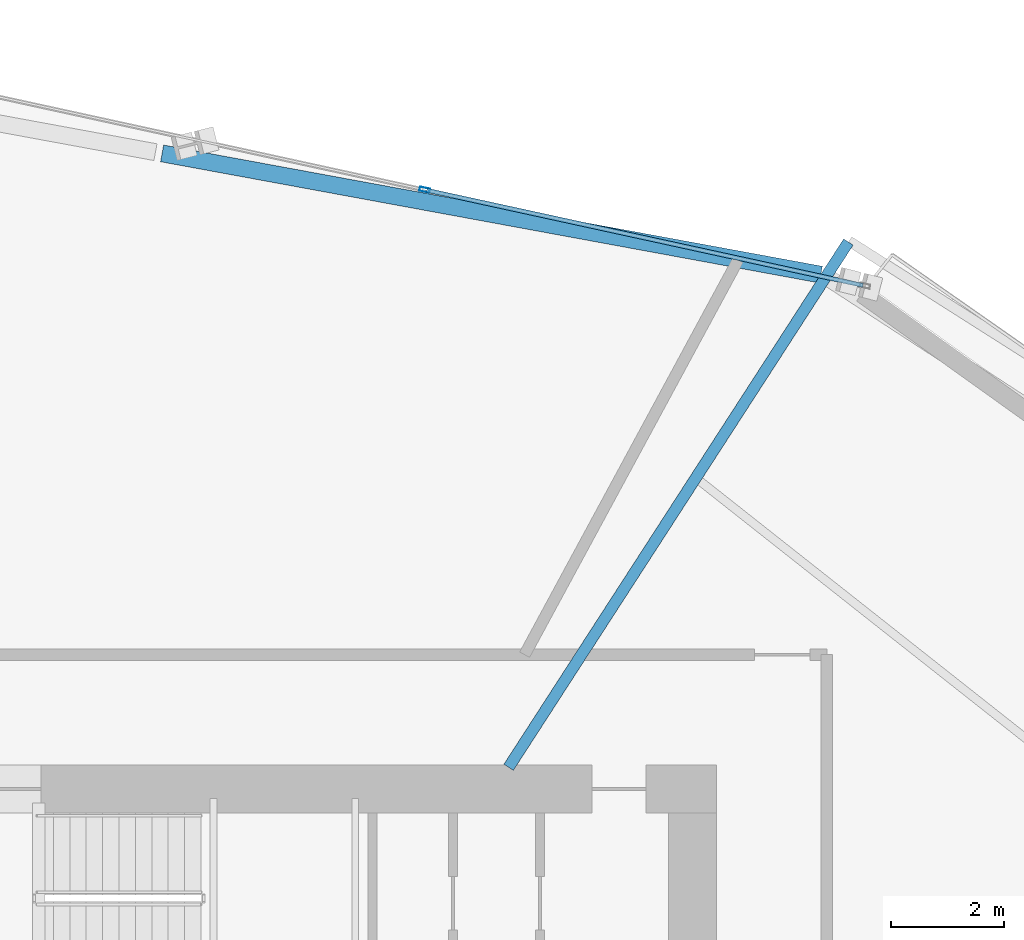
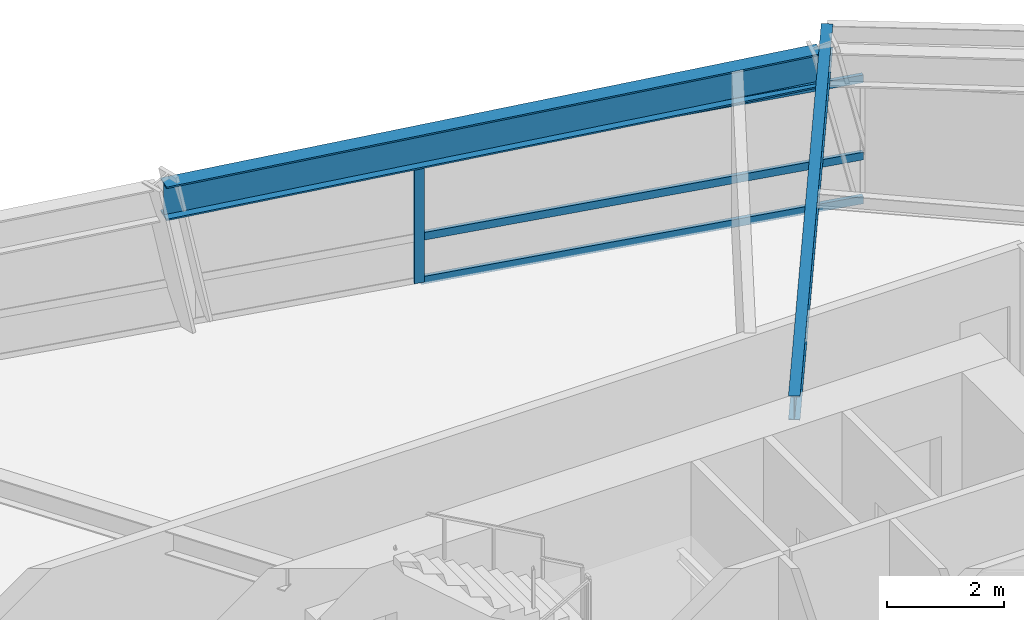
# One storey, part 9 of 21: 4 members, 2 beams, 1 element without a shape of its own.
"""IFC4 building model written with IfcOpenShell, lengths in metres."""

from ifc_helpers import new_model, si_unit, direction, frame, origin, origin_2d, place, context, subcontext, project, spatial, hollow_rectangle, i_section, extrude, source, transform, mapped, material, material_profile, profile_set, type_object, element, aggregate, save


model = new_model("IFC4")

# Units and contexts
model_context = context("Model", 3, precision=1e-05, world=origin(), true_north=direction((0.0, 1.0)))
body_context = subcontext(model_context, "Body", "Model", "MODEL_VIEW")
ifc_project = project(units=[si_unit("LENGTHUNIT", "METRE"), si_unit("AREAUNIT", "SQUARE_METRE"), si_unit("VOLUMEUNIT", "CUBIC_METRE"), si_unit("PLANEANGLEUNIT", "RADIAN"), si_unit("MASSUNIT", "GRAM", prefix="KILO")], contexts=[model_context])

# Site, building, storey
site_placement = place(None, origin())
site = spatial("IfcSite", under=ifc_project, at=site_placement, CompositionType="ELEMENT")
building_placement = place(site_placement, origin())
building = spatial("IfcBuilding", under=site, at=building_placement, Name="Olszyna Solenne Hotel", CompositionType="ELEMENT")
storey_placement = place(building_placement, frame((0.0, 0.0, 39.949951171875)))
storey = spatial("IfcBuildingStorey", under=building, at=storey_placement, Name="L09", CompositionType="ELEMENT", Elevation=39.949951171875)

# Beams
ifc_material_1 = material(Name="Steel S355J2", Category="steel")
ifc_material_profile_1 = material_profile(ifc_material_1, i_section(OverallWidth=0.300048828125, OverallDepth=0.699951171875, WebThickness=0.01708984375, FlangeThickness=0.031982421875, at=origin_2d()), Name="HEB 700", Category="load-bearing")
ifc_profile_set_1 = profile_set([ifc_material_profile_1], Name="Steel S355J2")
beam_type_1 = type_object("IfcBeamType", Name="BM-S1", PredefinedType="BEAM", material=ifc_profile_set_1)
shared_shape_1 = source(origin(), body_context, "Body", "SweptSolid", [
    extrude(i_section(OverallWidth=0.300048828125, OverallDepth=0.699951171875, WebThickness=0.01708984375, FlangeThickness=0.031982421875, at=origin_2d()), origin(), (0.0, 0.0, 1.0), 11.846435546875),
])
beam_1_placement = place(storey_placement, frame((48.59326171875, 43.22216796875, 2.949951171875), z_axis=(-0.983493167496, 0.180945266557, 0.0), x_axis=(-0.180945266557, -0.983493167496, 0.0)))
element("IfcBeam", 1, at=beam_1_placement, inside=storey, type_object=beam_type_1, Name="Perimeter spandrel beam BM-S1 B-L09-0291", PredefinedType="BEAM", context=body_context, shape_type="MappedRepresentation", body=[
    mapped(shared_shape_1, transform((0.0, 0.0, 0.0), x_axis=(1.0, 0.0, 0.0), y_axis=(0.0, 1.0, 0.0), z_axis=(0.0, 0.0, 1.0), scale=1.0)),
])
ifc_material_profile_2 = material_profile(ifc_material_1, i_section(OverallWidth=0.199951171875, OverallDepth=0.5, WebThickness=0.01025390625, FlangeThickness=0.01611328125, at=origin_2d()), Name="IPE 500", Category="load-bearing")
ifc_profile_set_2 = profile_set([ifc_material_profile_2], Name="Steel S355J2")
beam_type_2 = type_object("IfcBeamType", Name="BM-F3", PredefinedType="BEAM", material=ifc_profile_set_2)
shared_shape_2 = source(origin(), body_context, "Body", "SweptSolid", [
    extrude(i_section(OverallWidth=0.199951171875, OverallDepth=0.5, WebThickness=0.01025390625, FlangeThickness=0.01611328125, at=origin_2d()), origin(), (0.0, 0.0, 1.0), 11.064697265625),
])
beam_2_placement = place(storey_placement, frame((49.080810546875, 43.798095703125, 3.050048828125), z_axis=(-0.5431497218, -0.839635861376, 0.0), x_axis=(0.839635861376, -0.5431497218, 0.0)))
element("IfcBeam", 2, at=beam_2_placement, inside=storey, type_object=beam_type_2, Name="Radial floor girder BM-F3 B-L09-0303", PredefinedType="BEAM", context=body_context, shape_type="MappedRepresentation", body=[
    mapped(shared_shape_2, transform((0.0, 0.0, 0.0), x_axis=(1.0, 0.0, 0.0), y_axis=(0.0, 1.0, 0.0), z_axis=(0.0, 0.0, 1.0), scale=1.0)),
])

# Curtain wall, members
ifc_material_2 = material(Name="Anodised bronze aluminium", Category="aluminium")
curtain_wall_type = type_object("IfcCurtainWallType", Name="CW-SYS-2", PredefinedType="NOTDEFINED", material=ifc_material_2)
curtain_wall_placement = place(storey_placement, origin())
curtain_wall = element("IfcCurtainWall", 3, at=curtain_wall_placement, inside=storey, type_object=curtain_wall_type, Name="Unitised curtain wall CW-SYS-2 CW-L09-02", PredefinedType="NOTDEFINED")
ifc_material_profile_3 = material_profile(ifc_material_2, hollow_rectangle(XDim=0.074951171875, YDim=0.179931640625, WallThickness=0.00439453125, at=origin_2d()), Name="MULL 180x75x4.5", Category="load-bearing")
ifc_profile_set_3 = profile_set([ifc_material_profile_3], Name="Anodised bronze aluminium")
member_type_1 = type_object("IfcMemberType", Name="CW-M2", PredefinedType="MULLION", material=ifc_profile_set_3)
shared_shape_3 = source(origin(), body_context, "Body", "SweptSolid", [
    extrude(hollow_rectangle(XDim=0.074951171875, YDim=0.179931640625, WallThickness=0.00439453125, at=origin_2d()), origin(), (0.0, 0.0, 1.0), 2.592041015625),
])
member_1_placement = place(storey_placement, frame((41.585205078125, 44.72216796875, 0.0), z_axis=(0.0, 0.0, 1.0), x_axis=(0.213104027523, 0.977029515139, 0.0)))
member_1 = element("IfcMember", 4, at=member_1_placement, type_object=member_type_1, Name="Curtain-wall mullion CW-M2 CM-L09-02-03", PredefinedType="MULLION", context=body_context, shape_type="MappedRepresentation", body=[
    mapped(shared_shape_3, transform((0.0, 0.0, 0.0), x_axis=(1.0, 0.0, 0.0), y_axis=(0.0, 1.0, 0.0), z_axis=(0.0, 0.0, 1.0), scale=1.0)),
])
ifc_material_profile_4 = material_profile(ifc_material_2, hollow_rectangle(XDim=0.074951171875, YDim=0.159912109375, WallThickness=0.00390625, at=origin_2d()), Name="TRAN 160x75x4", Category="load-bearing")
ifc_profile_set_4 = profile_set([ifc_material_profile_4], Name="Anodised bronze aluminium")
member_type_2 = type_object("IfcMemberType", Name="CW-T1", PredefinedType="USERDEFINED", material=ifc_profile_set_4)
shared_shape_4 = source(origin(), body_context, "Body", "SweptSolid", [
    extrude(hollow_rectangle(XDim=0.074951171875, YDim=0.159912109375, WallThickness=0.00390625, at=origin_2d()), origin(), (0.0, 0.0, 1.0), 7.898193359375),
])
member_2_placement = place(storey_placement, frame((41.621826171875, 44.714111328125, 0.03759765625), z_axis=(0.977030507327, -0.213099478534, 0.0), x_axis=(0.213099478534, 0.977030507327, 0.0)))
member_2 = element("IfcMember", 5, at=member_2_placement, type_object=member_type_2, Name="Curtain-wall transom CW-T1 CT-L09-02-07", ObjectType="TRANSOM", PredefinedType="USERDEFINED", context=body_context, shape_type="MappedRepresentation", body=[
    mapped(shared_shape_4, transform((0.0, 0.0, 0.0), x_axis=(1.0, 0.0, 0.0), y_axis=(0.0, 1.0, 0.0), z_axis=(0.0, 0.0, 1.0), scale=1.0)),
])
member_3_placement = place(storey_placement, frame((41.621826171875, 44.714111328125, 0.949951171875), z_axis=(0.977030507327, -0.213099478534, 0.0), x_axis=(0.213099478534, 0.977030507327, 0.0)))
member_3 = element("IfcMember", 6, at=member_3_placement, type_object=member_type_2, Name="Curtain-wall transom CW-T1 CT-L09-02-08", ObjectType="TRANSOM", PredefinedType="USERDEFINED", context=body_context, shape_type="MappedRepresentation", body=[
    mapped(shared_shape_4, transform((0.0, 0.0, 0.0), x_axis=(1.0, 0.0, 0.0), y_axis=(0.0, 1.0, 0.0), z_axis=(0.0, 0.0, 1.0), scale=1.0)),
])
member_4_placement = place(storey_placement, frame((41.621826171875, 44.714111328125, 2.554443359375), z_axis=(0.977030507327, -0.213099478534, 0.0), x_axis=(0.213099478534, 0.977030507327, 0.0)))
member_4 = element("IfcMember", 7, at=member_4_placement, type_object=member_type_2, Name="Curtain-wall transom CW-T1 CT-L09-02-09", ObjectType="TRANSOM", PredefinedType="USERDEFINED", context=body_context, shape_type="MappedRepresentation", body=[
    mapped(shared_shape_4, transform((0.0, 0.0, 0.0), x_axis=(1.0, 0.0, 0.0), y_axis=(0.0, 1.0, 0.0), z_axis=(0.0, 0.0, 1.0), scale=1.0)),
])
aggregate(curtain_wall, [member_1, member_2, member_3, member_4])

save(model, "model.ifc")
